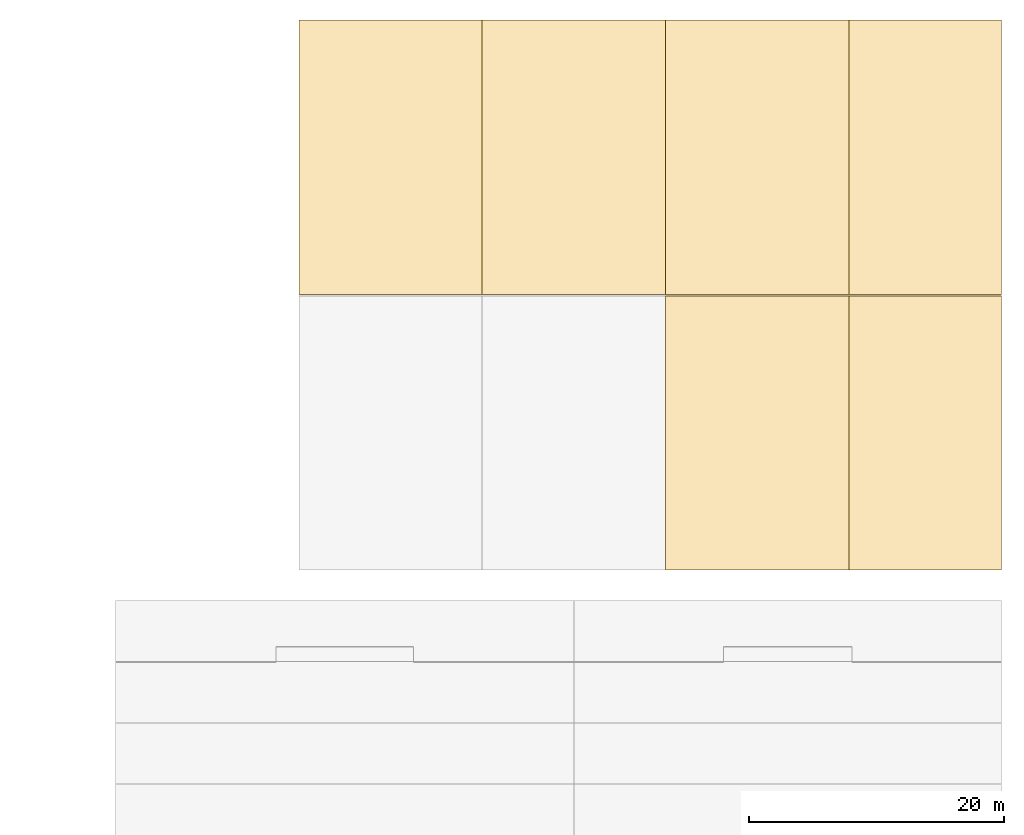
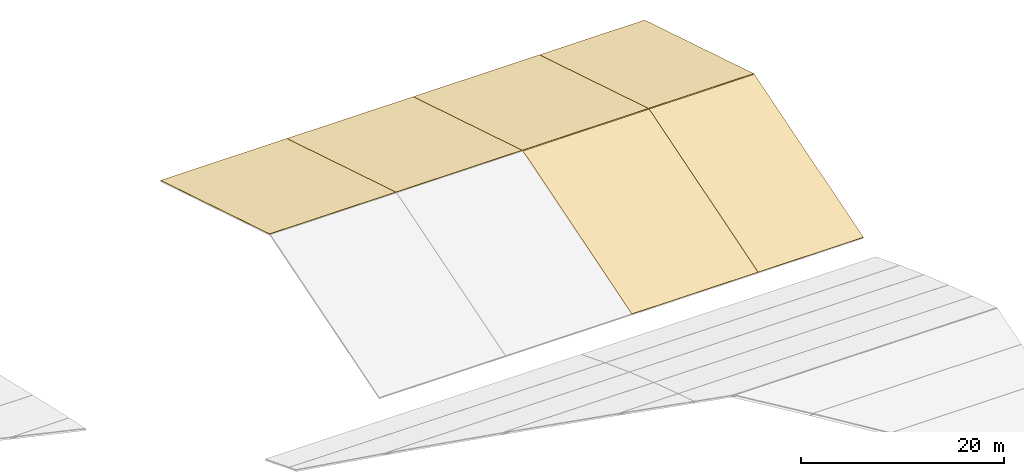
# One storey, part 7 of 7: 6 coverings, 4 elements without a shape of their own.
"""IFC4 building model written with IfcOpenShell, lengths in metres."""

from ifc_helpers import new_model, si_unit, direction, frame, origin, place, context, subcontext, project, spatial, polyline, outline, extrude, material, layer, layer_set, type_object, element, aggregate, save


model = new_model("IFC4")

# Units and contexts
model_context = context("Model", 3, precision=1e-05, world=origin(), true_north=direction((0.0, 1.0)))
body_context = subcontext(model_context, "Body", "Model", "MODEL_VIEW")
ifc_project = project(units=[si_unit("LENGTHUNIT", "METRE"), si_unit("AREAUNIT", "SQUARE_METRE"), si_unit("VOLUMEUNIT", "CUBIC_METRE"), si_unit("PLANEANGLEUNIT", "RADIAN"), si_unit("MASSUNIT", "GRAM", prefix="KILO")], contexts=[model_context])

# Site, building, storey
site_placement = place(None, origin())
site = spatial("IfcSite", under=ifc_project, at=site_placement, CompositionType="ELEMENT")
building_placement = place(site_placement, origin())
building = spatial("IfcBuilding", under=site, at=building_placement, Name="Cendralis Lancet Convention Centre", CompositionType="ELEMENT")
storey_placement = place(building_placement, frame((0.0, 0.0, 29.39990234375)))
storey = spatial("IfcBuildingStorey", under=building, at=storey_placement, Name="RF", CompositionType="ELEMENT", Elevation=29.39990234375)

# Roof, covering
ifc_material = material(Name="Patinated standing-seam zinc roofing")
ifc_layer_1 = layer(ifc_material, 0.139892578125, Name="Patinated standing-seam zinc roofing")
ifc_layer_set_1 = layer_set([ifc_layer_1], Name="Patinated standing-seam zinc roofing")
roof_type = type_object("IfcRoofType", Name="ARC-RF-HIP", PredefinedType="HIP_ROOF", material=ifc_layer_set_1)
roof_1_placement = place(storey_placement, origin())
roof_1 = element("IfcRoof", 1, at=roof_1_placement, inside=storey, type_object=roof_type, Name="Ballroom Pointed-Gable Zinc Roof Assembly #01", PredefinedType="HIP_ROOF")
ifc_layer_2 = layer(ifc_material, 0.0400390625, Name="Patinated standing-seam zinc roofing")
ifc_layer_set_2 = layer_set([ifc_layer_2], Name="Patinated standing-seam zinc roofing")
covering_type = type_object("IfcCoveringType", Name="ARC-CV-ZINC", PredefinedType="ROOFING", material=ifc_layer_set_2)
covering_1_placement = place(storey_placement, frame((153.60009765625, 115.260009765625, -3.591796875), z_axis=(0.0, 0.292956312179, 0.956125828097), x_axis=(1.0, 0.0, 0.0)))
covering_1 = element("IfcCovering", 2, at=covering_1_placement, type_object=covering_type, Name="Ballroom Standing-Seam Zinc Roofing 01-N", PredefinedType="ROOFING", context=body_context, shape_type="SweptSolid", body=[
    extrude(outline(polyline([(0.0, 0.0), (14.39990234375, 0.0), (14.39990234375, 22.528456432737098), (0.0, 22.528456432737098), (0.0, 0.0)])), origin(), (0.0, 0.0, -1.0), 0.0400390625),
])
aggregate(roof_1, [covering_1])

roof_2_placement = place(storey_placement, origin())
roof_2 = element("IfcRoof", 3, at=roof_2_placement, inside=storey, type_object=roof_type, Name="Ballroom Pointed-Gable Zinc Roof Assembly #02", PredefinedType="HIP_ROOF")
covering_2_placement = place(storey_placement, frame((168.0, 115.260009765625, -3.591796875), z_axis=(0.0, 0.292956312179, 0.956125828097), x_axis=(1.0, 0.0, 0.0)))
covering_2 = element("IfcCovering", 4, at=covering_2_placement, type_object=covering_type, Name="Ballroom Standing-Seam Zinc Roofing 02-N", PredefinedType="ROOFING", context=body_context, shape_type="SweptSolid", body=[
    extrude(outline(polyline([(0.0, 0.0), (14.39990234375, 0.0), (14.39990234375, 22.528456432737098), (0.0, 22.528456432737098), (0.0, 0.0)])), origin(), (0.0, 0.0, -1.0), 0.0400390625),
])
aggregate(roof_2, [covering_2])

# Roof, coverings
roof_3_placement = place(storey_placement, origin())
roof_3 = element("IfcRoof", 5, at=roof_3_placement, inside=storey, type_object=roof_type, Name="Ballroom Pointed-Gable Zinc Roof Assembly #03", PredefinedType="HIP_ROOF")
covering_3_placement = place(storey_placement, frame((182.39990234375, 93.60009765625, -10.191650390625), z_axis=(0.0, -0.292959347683, 0.956124898015), x_axis=(1.0, 0.0, 0.0)))
covering_3 = element("IfcCovering", 6, at=covering_3_placement, type_object=covering_type, Name="Ballroom Standing-Seam Zinc Roofing 03-S", PredefinedType="ROOFING", context=body_context, shape_type="SweptSolid", body=[
    extrude(outline(polyline([(0.0, 0.0), (14.400146484375, 0.0), (14.400146484375, 22.528223003693384), (0.0, 22.528223003693384), (0.0, 0.0)])), origin(), (0.0, 0.0, -1.0), 0.0400390625),
])
covering_4_placement = place(storey_placement, frame((182.39990234375, 115.260009765625, -3.591796875), z_axis=(0.0, 0.292956312179, 0.956125828097), x_axis=(1.0, 0.0, 0.0)))
covering_4 = element("IfcCovering", 7, at=covering_4_placement, type_object=covering_type, Name="Ballroom Standing-Seam Zinc Roofing 03-N", PredefinedType="ROOFING", context=body_context, shape_type="SweptSolid", body=[
    extrude(outline(polyline([(0.0, 0.0), (14.400146484375, 0.0), (14.400146484375, 22.528456432737098), (0.0, 22.528456432737098), (0.0, 0.0)])), origin(), (0.0, 0.0, -1.0), 0.0400390625),
])
aggregate(roof_3, [covering_3, covering_4])

roof_4_placement = place(storey_placement, origin())
roof_4 = element("IfcRoof", 8, at=roof_4_placement, inside=storey, type_object=roof_type, Name="Ballroom Pointed-Gable Zinc Roof Assembly #04", PredefinedType="HIP_ROOF")
covering_5_placement = place(storey_placement, frame((196.800048828125, 93.60009765625, -10.191650390625), z_axis=(0.0, -0.292959347683, 0.956124898015), x_axis=(1.0, 0.0, 0.0)))
covering_5 = element("IfcCovering", 9, at=covering_5_placement, type_object=covering_type, Name="Ballroom Standing-Seam Zinc Roofing 04-S", PredefinedType="ROOFING", context=body_context, shape_type="SweptSolid", body=[
    extrude(outline(polyline([(0.0, 0.0), (12.0, 0.0), (12.0, 22.52822300369338), (0.0, 22.52822300369338), (0.0, 0.0)])), origin(), (0.0, 0.0, -1.0), 0.0400390625),
])
covering_6_placement = place(storey_placement, frame((196.800048828125, 115.260009765625, -3.591796875), z_axis=(0.0, 0.292956312179, 0.956125828097), x_axis=(1.0, 0.0, 0.0)))
covering_6 = element("IfcCovering", 10, at=covering_6_placement, type_object=covering_type, Name="Ballroom Standing-Seam Zinc Roofing 04-N", PredefinedType="ROOFING", context=body_context, shape_type="SweptSolid", body=[
    extrude(outline(polyline([(0.0, 0.0), (12.0, 0.0), (12.0, 22.5284564327371), (0.0, 22.5284564327371), (0.0, 0.0)])), origin(), (0.0, 0.0, -1.0), 0.0400390625),
])
aggregate(roof_4, [covering_5, covering_6])

save(model, "model.ifc")
